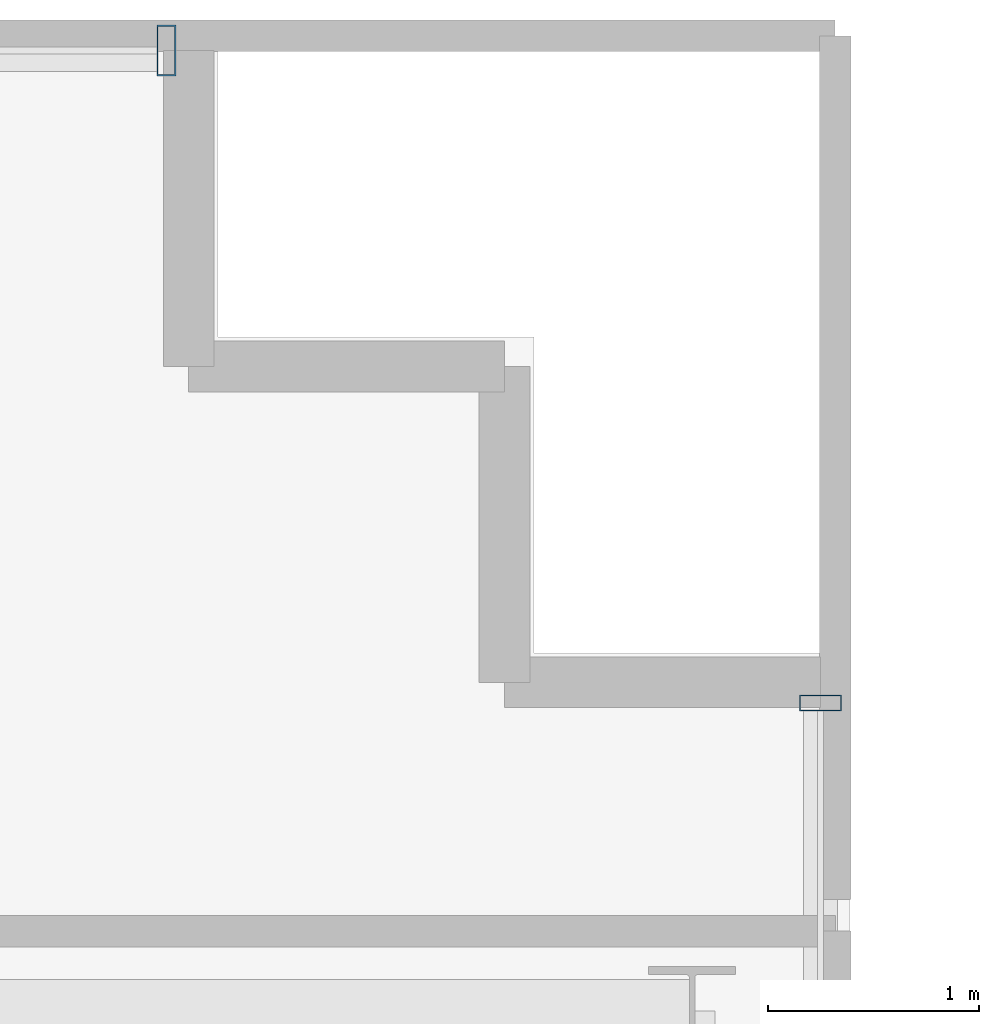
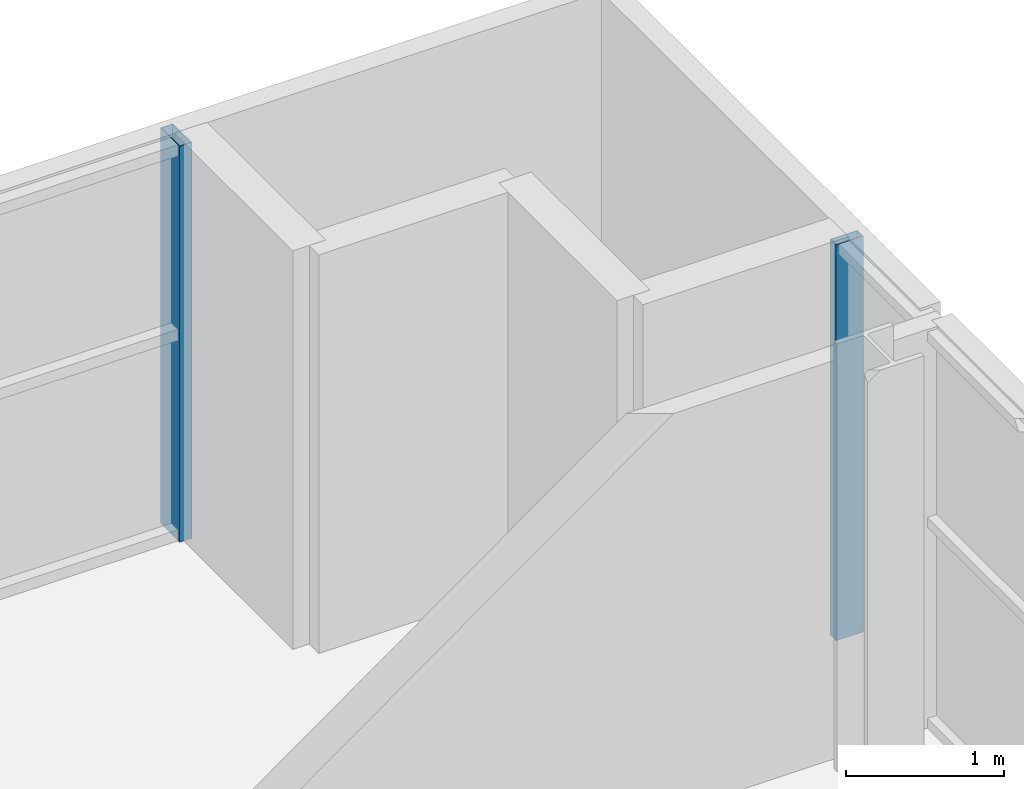
# One storey, part 17 of 26: 2 members, 2 elements without a shape of their own.
"""IFC4 building model written with IfcOpenShell, lengths in metres."""

from ifc_helpers import new_model, si_unit, direction, frame, origin, origin_2d, place, context, subcontext, project, spatial, hollow_rectangle, extrude, source, transform, mapped, material, layer, layer_set, material_profile, profile_set, type_object, element, aggregate, save


model = new_model("IFC4")

# Units and contexts
model_context = context("Model", 3, precision=1e-05, world=origin(), true_north=direction((0.0, 1.0)))
body_context = subcontext(model_context, "Body", "Model", "MODEL_VIEW")
ifc_project = project(units=[si_unit("LENGTHUNIT", "METRE"), si_unit("AREAUNIT", "SQUARE_METRE"), si_unit("VOLUMEUNIT", "CUBIC_METRE"), si_unit("PLANEANGLEUNIT", "RADIAN"), si_unit("MASSUNIT", "GRAM", prefix="KILO")], contexts=[model_context])

# Site, building, storey
site_placement = place(None, origin())
site = spatial("IfcSite", under=ifc_project, at=site_placement, CompositionType="ELEMENT")
building_placement = place(site_placement, origin())
building = spatial("IfcBuilding", under=site, at=building_placement, Name="Zarnakvel Exchange Tower", CompositionType="ELEMENT")
storey_placement = place(building_placement, frame((0.0, 0.0, 70.300048828125)))
storey = spatial("IfcBuildingStorey", under=building, at=storey_placement, Name="L19", CompositionType="ELEMENT", Elevation=70.300048828125)

# Curtain wall, member
ifc_material = material(Name="Architectural Bronze Anodised Aluminium", Category="aluminium")
ifc_layer_1 = layer(ifc_material, 0.239990234375)
ifc_layer_set_1 = layer_set([ifc_layer_1], Name="Architectural Bronze Anodised Aluminium")
curtain_wall_type_1 = type_object("IfcCurtainWallType", Name="CW-02", PredefinedType="NOTDEFINED", material=ifc_layer_set_1)
curtain_wall_1_placement = place(storey_placement, origin())
curtain_wall_1 = element("IfcCurtainWall", 1, at=curtain_wall_1_placement, inside=storey, type_object=curtain_wall_type_1, Name="L19 Curtain Wall CW-L19-N1 (CW-02)", PredefinedType="NOTDEFINED")
ifc_material_profile_1 = material_profile(ifc_material, hollow_rectangle(XDim=0.239990234375, YDim=0.090087890625, WallThickness=0.006103515625, at=origin_2d()))
ifc_profile_set_1 = profile_set([ifc_material_profile_1], Name="Architectural Bronze Anodised Aluminium")
member_type_1 = type_object("IfcMemberType", Name="CWM-02", PredefinedType="MULLION", material=ifc_profile_set_1)
shared_shape_1 = source(origin(), body_context, "Body", "SweptSolid", [
    extrude(hollow_rectangle(XDim=0.239990234375, YDim=0.090087890625, WallThickness=0.006103515625, at=origin_2d()), origin(), (0.0, 0.0, 1.0), 3.054931640625),
])
member_1_placement = place(storey_placement, frame((29.35498046875, 18.06005859375, 0.0), z_axis=(0.0, 0.0, 1.0), x_axis=(0.0, 1.0, 0.0)))
member_1 = element("IfcMember", 2, at=member_1_placement, type_object=member_type_1, Name="CW-02 mullion 8", PredefinedType="MULLION", context=body_context, shape_type="MappedRepresentation", body=[
    mapped(shared_shape_1, transform((0.0, 0.0, 0.0), x_axis=(1.0, 0.0, 0.0), y_axis=(0.0, 1.0, 0.0), z_axis=(0.0, 0.0, 1.0), scale=1.0)),
])
aggregate(curtain_wall_1, [member_1])

ifc_layer_2 = layer(ifc_material, 0.199951171875)
ifc_layer_set_2 = layer_set([ifc_layer_2], Name="Architectural Bronze Anodised Aluminium")
curtain_wall_type_2 = type_object("IfcCurtainWallType", Name="CW-04", PredefinedType="NOTDEFINED", material=ifc_layer_set_2)
curtain_wall_2_placement = place(storey_placement, origin())
curtain_wall_2 = element("IfcCurtainWall", 3, at=curtain_wall_2_placement, inside=storey, type_object=curtain_wall_type_2, Name="L19 Curtain Wall CW-L19-EN (CW-04)", PredefinedType="NOTDEFINED")
ifc_material_profile_2 = material_profile(ifc_material, hollow_rectangle(XDim=0.199951171875, YDim=0.074951171875, WallThickness=0.0048828125, at=origin_2d()))
ifc_profile_set_2 = profile_set([ifc_material_profile_2], Name="Architectural Bronze Anodised Aluminium")
member_type_2 = type_object("IfcMemberType", Name="CWM-04", PredefinedType="MULLION", material=ifc_profile_set_2)
shared_shape_2 = source(origin(), body_context, "Body", "SweptSolid", [
    extrude(hollow_rectangle(XDim=0.199951171875, YDim=0.074951171875, WallThickness=0.0048828125, at=origin_2d()), origin(), (0.0, 0.0, 1.0), 3.054931640625),
])
member_2_placement = place(storey_placement, frame((32.4599609375, 14.96240234375, 0.0), z_axis=(0.0, 0.0, 1.0), x_axis=(-1.0, 0.0, 0.0)))
member_2 = element("IfcMember", 4, at=member_2_placement, type_object=member_type_2, Name="CW-04 mullion 3", PredefinedType="MULLION", context=body_context, shape_type="MappedRepresentation", body=[
    mapped(shared_shape_2, transform((0.0, 0.0, 0.0), x_axis=(1.0, 0.0, 0.0), y_axis=(0.0, 1.0, 0.0), z_axis=(0.0, 0.0, 1.0), scale=1.0)),
])
aggregate(curtain_wall_2, [member_2])

save(model, "model.ifc")
